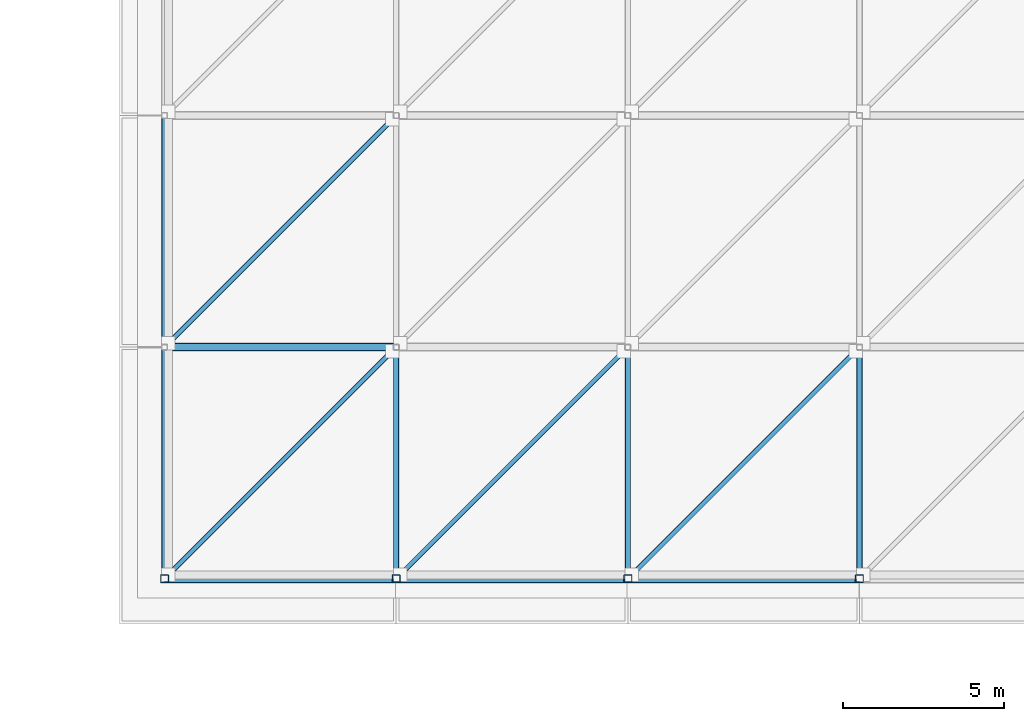
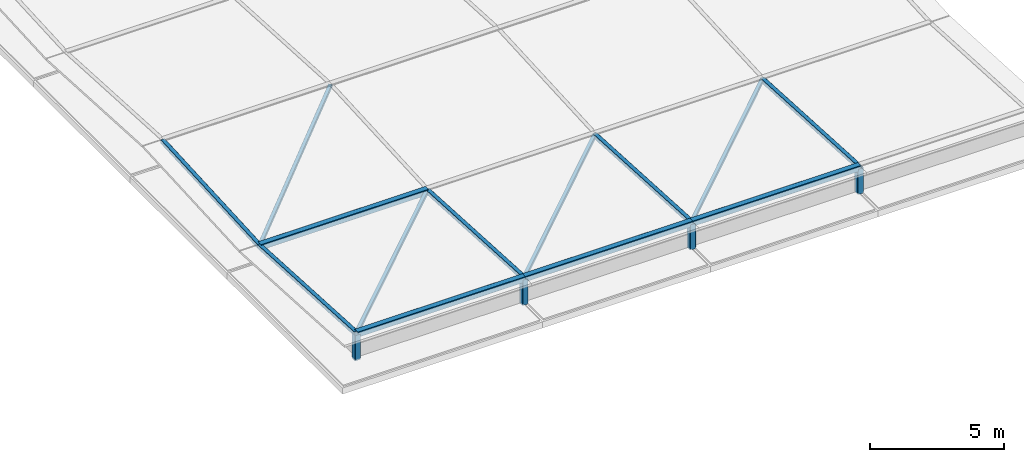
# One storey, part 1 of 15: 17 members.
"""IFC4 building model written with IfcOpenShell, lengths in metres."""

import ifcopenshell
import ifcopenshell.guid

model = None  # the IFC model being written
_history = None  # IfcOwnerHistory: only IFC2X3 demands one
_inside = {}  # id of a spatial element -> (the spatial element, [elements in it])
_under = {}  # id of a project, library or spatial element -> (it, [spatial elements below it])
_declared = {}  # id of a project -> (the project, [libraries it declares])
_typed = {}  # id of a type object -> (the type object, [elements of that type])
_made_of = {}  # id of a material, layer set ... -> (it, [elements and type objects made of it])


def new_model(schema):
    """Start an empty IFC model of exactly this schema.

    Asked for "IFC4X3", IfcOpenShell would pick the latest addendum, in which some entities
    have other attributes; the version numbers below select the first issue.
    IFC2X3 requires an IfcOwnerHistory on every rooted entity: one is made here for all.
    """
    global model, _history
    if schema == "IFC4X3":
        model = ifcopenshell.file(schema_version=(4, 3, 0, 0))
    else:
        model = ifcopenshell.file(schema=schema)
    _inside.clear()
    _under.clear()
    _declared.clear()
    _typed.clear()
    _made_of.clear()
    _history = None
    if model.schema == "IFC2X3":
        org = make("IfcOrganization", Name="unknown")
        user = make(
            "IfcPersonAndOrganization",
            ThePerson=make("IfcPerson", FamilyName="unknown"),
            TheOrganization=org,
        )
        app = make(
            "IfcApplication",
            ApplicationDeveloper=org,
            Version="unknown",
            ApplicationFullName="unknown",
            ApplicationIdentifier="unknown",
        )
        _history = make(
            "IfcOwnerHistory",
            OwningUser=user,
            OwningApplication=app,
            ChangeAction="ADDED",
            CreationDate=0,
        )
    return model


def make(cls, **values):
    """One entity of the class cls with the attributes given. An attribute that is None is left unset."""
    return model.create_entity(
        cls, **{name: value for name, value in values.items() if value is not None}
    )


def rooted(cls, **values):
    """An entity with a GlobalId (a new one), such as an element, a storey or a relation."""
    return make(cls, GlobalId=ifcopenshell.guid.new(), OwnerHistory=_history, **values)


def si_unit(unit_type, name, prefix=None):
    """IfcSIUnit, for example si_unit("LENGTHUNIT", "METRE", prefix="MILLI")."""
    return make("IfcSIUnit", UnitType=unit_type, Prefix=prefix, Name=name)


def assignment(units):
    """IfcUnitAssignment: the units of a project."""
    return None if units is None else make("IfcUnitAssignment", Units=units)


def point(xyz):
    """IfcCartesianPoint."""
    return None if xyz is None else make("IfcCartesianPoint", Coordinates=xyz)


def direction(xyz):
    """IfcDirection."""
    return None if xyz is None else make("IfcDirection", DirectionRatios=xyz)


def frame(location, z_axis=None, x_axis=None):
    """IfcAxis2Placement3D, a coordinate frame: its origin and axes. An axis left out is left unset."""
    return make(
        "IfcAxis2Placement3D",
        Location=point(location),
        Axis=direction(z_axis),
        RefDirection=direction(x_axis),
    )


def frame_2d(location, x_axis=None):
    """IfcAxis2Placement2D, a coordinate frame in the plane: its origin and x axis."""
    return make(
        "IfcAxis2Placement2D", Location=point(location), RefDirection=direction(x_axis)
    )


def origin():
    """The frame at (0, 0, 0) with its axes left unset."""
    return frame((0.0, 0.0, 0.0))


def origin_2d():
    """The frame at (0, 0) in the plane with its x axis left unset."""
    return frame_2d((0.0, 0.0))


def place(relative_to, where):
    """IfcLocalPlacement: puts the frame where relative to a parent placement (None: the world)."""
    return make(
        "IfcLocalPlacement", PlacementRelTo=relative_to, RelativePlacement=where
    )


def context(
    kind, dimensions, precision=None, world=None, true_north=None, identifier=None
):
    """IfcGeometricRepresentationContext, for example the 3D "Model" context."""
    return make(
        "IfcGeometricRepresentationContext",
        ContextIdentifier=identifier,
        ContextType=kind,
        CoordinateSpaceDimension=dimensions,
        Precision=precision,
        WorldCoordinateSystem=world,
        TrueNorth=true_north,
    )


def subcontext(parent, identifier, kind, view, scale=None):
    """IfcGeometricRepresentationSubContext, for example "Body" below "Model"."""
    return make(
        "IfcGeometricRepresentationSubContext",
        ContextIdentifier=identifier,
        ContextType=kind,
        ParentContext=parent,
        TargetScale=scale,
        TargetView=view,
    )


def project(units=None, contexts=None):
    """IfcProject with its units and contexts."""
    return rooted(
        "IfcProject",
        Name="project",
        RepresentationContexts=contexts,
        UnitsInContext=assignment(units),
    )


def spatial(cls, under=None, at=None, **own):
    """A site, building, storey or space (cls), placed at a placement, below another one or the project."""
    s = rooted(cls, ObjectPlacement=at, **own)
    if under is not None:
        _under.setdefault(under.id(), (under, []))[1].append(s)
    return s


def profile(cls, at=None, kind="AREA", **sizes):
    """A parametric profile (cls). Its sizes go by their IFC names, for example OverallWidth=200.0."""
    return make(cls, ProfileType=kind, Position=at, **sizes)


def hollow_rectangle(**sizes):
    """IfcRectangleHollowProfileDef."""
    return profile("IfcRectangleHollowProfileDef", **sizes)


def extrude(swept, where, along, depth):
    """IfcExtrudedAreaSolid: the profile swept, set in the frame where, extruded along a direction by depth."""
    return make(
        "IfcExtrudedAreaSolid",
        SweptArea=swept,
        Position=where,
        ExtrudedDirection=direction(along),
        Depth=depth,
    )


def shape(context_of_items, identifier, shape_type, items):
    """IfcShapeRepresentation: the items that make up one representation, for example the "Body"."""
    return make(
        "IfcShapeRepresentation",
        ContextOfItems=context_of_items,
        RepresentationIdentifier=identifier,
        RepresentationType=shape_type,
        Items=items,
    )


def material(Name=None, Category=None):
    """IfcMaterial."""
    return make("IfcMaterial", Name=Name, Category=Category)


def material_profile(
    of_material, cross_section, Name=None, Category=None, Priority=None
):
    """IfcMaterialProfile: a cross section and its material."""
    return make(
        "IfcMaterialProfile",
        Name=Name,
        Material=of_material,
        Profile=cross_section,
        Priority=Priority,
        Category=Category,
    )


def profile_set(profiles, Name=None, composite=None):
    """IfcMaterialProfileSet."""
    return make(
        "IfcMaterialProfileSet",
        Name=Name,
        MaterialProfiles=profiles,
        CompositeProfile=composite,
    )


def made_of(thing, what):
    """Note that an element or type object is made of a material, layer set ...; save() writes the relation."""
    if what is not None:
        _made_of.setdefault(what.id(), (what, []))[1].append(thing)
    return thing


def type_object(cls, material=None, **own):
    """A type object (cls), such as IfcWallType, which elements share."""
    return made_of(rooted(cls, **own), material)


def element(
    cls,
    number,
    at=None,
    inside=None,
    cuts=None,
    type_object=None,
    material=None,
    context=None,
    identifier="Body",
    shape_type=None,
    held_by="IfcProductDefinitionShape",
    body=None,
    shapes=None,
    **own,
):
    """One element of the class cls, such as IfcWall. Its Tag is "e" and its number.

    at: its placement. inside: the storey or other place that contains it. cuts: it is an
    opening in that element (IfcRelVoidsElement). A single representation is given by context,
    identifier, shape_type and body (its items); several are given by shapes. held_by: the class
    of the entity that holds the representations. save() writes the other relations.
    """
    e = rooted(cls, Tag="e%d" % number, ObjectPlacement=at, **own)
    if body is not None:
        shapes = [shape(context, identifier, shape_type, body)]
    if shapes is not None:
        e.Representation = make(held_by, Representations=shapes)
    if inside is not None:
        _inside.setdefault(inside.id(), (inside, []))[1].append(e)
    if cuts is not None:
        rooted(
            "IfcRelVoidsElement", RelatingBuildingElement=cuts, RelatedOpeningElement=e
        )
    if type_object is not None:
        _typed.setdefault(type_object.id(), (type_object, []))[1].append(e)
    return made_of(e, material)


def aggregate(whole, parts):
    """IfcRelAggregates: a whole, such as a stair, and the parts it consists of."""
    return rooted("IfcRelAggregates", RelatingObject=whole, RelatedObjects=parts)


def save(model, path):
    """Write the relations noted so far, then the file.

    IfcRelAggregates (storeys below a building ...), IfcRelContainedInSpatialStructure (elements
    in a storey), IfcRelDefinesByType, IfcRelAssociatesMaterial and IfcRelDeclares: one each for
    every whole, place, type object, material and project.
    """
    for whole, parts in _under.values():
        aggregate(whole, parts)
    for where, things in _inside.values():
        rooted(
            "IfcRelContainedInSpatialStructure",
            RelatedElements=things,
            RelatingStructure=where,
        )
    for kind, things in _typed.values():
        rooted("IfcRelDefinesByType", RelatedObjects=things, RelatingType=kind)
    for what, things in _made_of.values():
        rooted("IfcRelAssociatesMaterial", RelatedObjects=things, RelatingMaterial=what)
    for by, libraries in _declared.values():
        rooted("IfcRelDeclares", RelatingContext=by, RelatedDefinitions=libraries)
    model.write(path)


model = new_model("IFC4")

# Units and contexts
model_context = context("Model", 3, precision=1e-05, world=origin(), true_north=direction((0.0, 1.0)))
body_context = subcontext(model_context, "Body", "Model", "MODEL_VIEW")
ifc_project = project(units=[si_unit("LENGTHUNIT", "METRE"), si_unit("AREAUNIT", "SQUARE_METRE"), si_unit("VOLUMEUNIT", "CUBIC_METRE"), si_unit("PLANEANGLEUNIT", "RADIAN"), si_unit("MASSUNIT", "GRAM", prefix="KILO")], contexts=[model_context])

# Site, building, storey
site_placement = place(None, origin())
site = spatial("IfcSite", under=ifc_project, at=site_placement, CompositionType="ELEMENT")
building_placement = place(site_placement, origin())
building = spatial("IfcBuilding", under=site, at=building_placement, Name="Kavelor Marine Aquarium", CompositionType="ELEMENT")
storey_placement = place(building_placement, frame((0.0, 0.0, 25.56005859375)))
storey = spatial("IfcBuildingStorey", under=building, at=storey_placement, Name="RF", CompositionType="ELEMENT", Elevation=25.56005859375)

# Members
ifc_material_1 = material(Name="Steel S355", Category="steel")
ifc_material_profile_1 = material_profile(ifc_material_1, hollow_rectangle(XDim=0.25, YDim=0.25, WallThickness=0.010009765625, InnerFilletRadius=0.014892578125, OuterFilletRadius=0.02490234375, at=origin_2d()), Name="SHS 250x250x10.0")
ifc_profile_set_1 = profile_set([ifc_material_profile_1], Name="Steel S355")
member_type_1 = type_object("IfcMemberType", Name="ST-PV1", PredefinedType="CHORD", material=ifc_profile_set_1)
for number, where, z_axis, x_axis, name in (
    (1, (118.39990234375, 67.60009765625, 0.0), (0.0, 0.0, 1.0), (1.0, 0.0, 0.0), "pv:p:16_9"),
    (2, (125.60009765625, 67.60009765625, 0.0), (0.0, 0.0, 1.0), (1.0, 0.0, 0.0), "pv:p:17_9"),
):
    element("IfcMember", number, at=place(storey_placement, frame(where, z_axis=z_axis, x_axis=x_axis)), inside=storey, type_object=member_type_1, Name=name, PredefinedType="CHORD", context=body_context, shape_type="SweptSolid", body=[
        extrude(hollow_rectangle(XDim=0.25, YDim=0.25, WallThickness=0.010009765625, InnerFilletRadius=0.014892578125, OuterFilletRadius=0.02490234375, at=origin_2d()), origin(), (0.0, 0.0, 1.0), 1.14990234375),
    ])
for number, where, z_axis, x_axis, name in (
    (3, (118.39990234375, 67.60009765625, 1.14990234375), (1.0, 0.0, 0.0), (0.0, 1.0, 0.0), "pv:x1:16_9"),
    (4, (118.39990234375, 74.800048828125, 0.75), (1.0, 0.0, 0.0), (0.0, 1.0, 0.0), "pv:x1:16_10"),
):
    element("IfcMember", number, at=place(storey_placement, frame(where, z_axis=z_axis, x_axis=x_axis)), inside=storey, type_object=member_type_1, Name=name, PredefinedType="CHORD", context=body_context, shape_type="SweptSolid", body=[
        extrude(hollow_rectangle(XDim=0.25, YDim=0.25, WallThickness=0.010009765625, InnerFilletRadius=0.014892578125, OuterFilletRadius=0.02490234375, at=origin_2d()), origin(), (0.0, 0.0, 1.0), 7.2001953125),
    ])
member_1_placement = place(storey_placement, frame((132.800048828125, 67.60009765625, 0.0), z_axis=(0.0, 0.0, 1.0), x_axis=(1.0, 0.0, 0.0)))
element("IfcMember", 5, at=member_1_placement, inside=storey, type_object=member_type_1, Name="pv:p:18_9", PredefinedType="CHORD", context=body_context, shape_type="SweptSolid", body=[
    extrude(hollow_rectangle(XDim=0.25, YDim=0.25, WallThickness=0.010009765625, InnerFilletRadius=0.014892578125, OuterFilletRadius=0.02490234375, at=origin_2d()), origin(), (0.0, 0.0, 1.0), 1.14990234375),
])
member_2_placement = place(storey_placement, frame((125.60009765625, 67.60009765625, 1.14990234375), z_axis=(1.0, 0.0, 0.0), x_axis=(0.0, 1.0, 0.0)))
element("IfcMember", 6, at=member_2_placement, inside=storey, type_object=member_type_1, Name="pv:x1:17_9", PredefinedType="CHORD", context=body_context, shape_type="SweptSolid", body=[
    extrude(hollow_rectangle(XDim=0.25, YDim=0.25, WallThickness=0.010009765625, InnerFilletRadius=0.014892578125, OuterFilletRadius=0.02490234375, at=origin_2d()), origin(), (0.0, 0.0, 1.0), 7.199951171875),
])
member_3_placement = place(storey_placement, frame((140.0, 67.60009765625, 0.0), z_axis=(0.0, 0.0, 1.0), x_axis=(1.0, 0.0, 0.0)))
element("IfcMember", 7, at=member_3_placement, inside=storey, type_object=member_type_1, Name="pv:p:19_9", PredefinedType="CHORD", context=body_context, shape_type="SweptSolid", body=[
    extrude(hollow_rectangle(XDim=0.25, YDim=0.25, WallThickness=0.010009765625, InnerFilletRadius=0.014892578125, OuterFilletRadius=0.02490234375, at=origin_2d()), origin(), (0.0, 0.0, 1.0), 1.14990234375),
])
member_4_placement = place(storey_placement, frame((132.800048828125, 67.60009765625, 1.14990234375), z_axis=(1.0, 0.0, 0.0), x_axis=(0.0, 1.0, 0.0)))
element("IfcMember", 8, at=member_4_placement, inside=storey, type_object=member_type_1, Name="pv:x1:18_9", PredefinedType="CHORD", context=body_context, shape_type="SweptSolid", body=[
    extrude(hollow_rectangle(XDim=0.25, YDim=0.25, WallThickness=0.010009765625, InnerFilletRadius=0.014892578125, OuterFilletRadius=0.02490234375, at=origin_2d()), origin(), (0.0, 0.0, 1.0), 7.199951171875),
])
ifc_material_2 = material(Name="Steel S355", Category="steel")
ifc_material_profile_2 = material_profile(ifc_material_2, hollow_rectangle(XDim=0.179931640625, YDim=0.179931640625, WallThickness=0.008056640625, InnerFilletRadius=0.011962890625, OuterFilletRadius=0.02001953125, at=origin_2d()), Name="SHS 180x180x8.0")
ifc_profile_set_2 = profile_set([ifc_material_profile_2], Name="Steel S355")
member_type_2 = type_object("IfcMemberType", Name="ST-PV2", PredefinedType="CHORD", material=ifc_profile_set_2)
for number, where, z_axis, x_axis, name in (
    (9, (118.39990234375, 67.60009765625, 1.14990234375), (0.0, 0.998461082335, -0.055456893726), (-1.0, 0.0, 0.0), "pv:r1:16_9"),
    (10, (125.60009765625, 67.60009765625, 1.14990234375), (0.0, 0.998461082335, -0.055456893726), (-1.0, 0.0, 0.0), "pv:r2:16_9"),
    (11, (118.39990234375, 74.800048828125, 0.75), (0.0, 0.998461082335, 0.055456893726), (-1.0, 0.0, 0.0), "pv:r1:16_10"),
    (12, (132.800048828125, 67.60009765625, 1.14990234375), (0.0, 0.998461082335, -0.055456893726), (-1.0, 0.0, 0.0), "pv:r2:17_9"),
    (13, (140.0, 67.60009765625, 1.14990234375), (0.0, 0.998461082335, -0.055456893726), (-1.0, 0.0, 0.0), "pv:r2:18_9"),
):
    element("IfcMember", number, at=place(storey_placement, frame(where, z_axis=z_axis, x_axis=x_axis)), inside=storey, type_object=member_type_2, Name=name, PredefinedType="CHORD", context=body_context, shape_type="SweptSolid", body=[
        extrude(hollow_rectangle(XDim=0.179931640625, YDim=0.179931640625, WallThickness=0.008056640625, InnerFilletRadius=0.011962890625, OuterFilletRadius=0.02001953125, at=origin_2d()), origin(), (0.0, 0.0, 1.0), 7.2109375),
    ])
ifc_material_3 = material(Name="Steel S355", Category="steel")
ifc_material_profile_3 = material_profile(ifc_material_3, hollow_rectangle(XDim=0.14990234375, YDim=0.14990234375, WallThickness=0.00634765625, InnerFilletRadius=0.009521484375, OuterFilletRadius=0.015869140625, at=origin_2d()), Name="SHS 150x150x6.3")
ifc_profile_set_3 = profile_set([ifc_material_profile_3], Name="Steel S355")
member_type_3 = type_object("IfcMemberType", Name="ST-PV3", PredefinedType="BRACE", material=ifc_profile_set_3)
for number, where, z_axis, x_axis, name in (
    (14, (118.39990234375, 67.60009765625, 1.14990234375), (0.706574060591, 0.706550102431, -0.039243466406), (-0.70709479277, 0.7071187694, 0.0), "pv:br:16_9"),
    (15, (118.39990234375, 74.800048828125, 0.75), (0.706574060591, 0.706550102431, 0.039243466406), (-0.70709479277, 0.7071187694, 0.0), "pv:br:16_10"),
    (16, (125.60009765625, 67.60009765625, 1.14990234375), (0.706562063163, 0.706562063163, -0.039244130733), (-0.707106781187, 0.707106781187, 0.0), "pv:br:17_9"),
    (17, (132.800048828125, 67.60009765625, 1.14990234375), (0.706562063163, 0.706562063163, -0.039244130733), (-0.707106781187, 0.707106781187, 0.0), "pv:br:18_9"),
):
    element("IfcMember", number, at=place(storey_placement, frame(where, z_axis=z_axis, x_axis=x_axis)), inside=storey, type_object=member_type_3, Name=name, PredefinedType="BRACE", context=body_context, shape_type="SweptSolid", body=[
        extrude(hollow_rectangle(XDim=0.14990234375, YDim=0.14990234375, WallThickness=0.00634765625, InnerFilletRadius=0.009521484375, OuterFilletRadius=0.015869140625, at=origin_2d()), origin(), (0.0, 0.0, 1.0), 10.190185546875),
    ])

save(model, "model.ifc")
